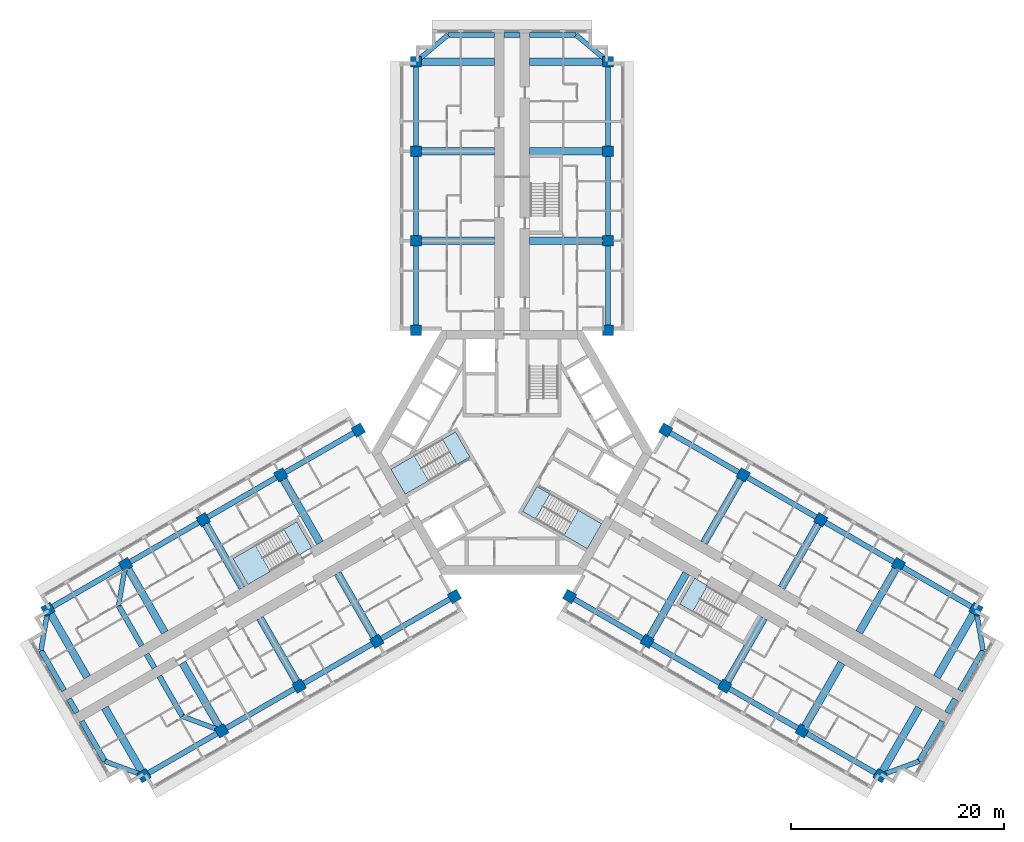
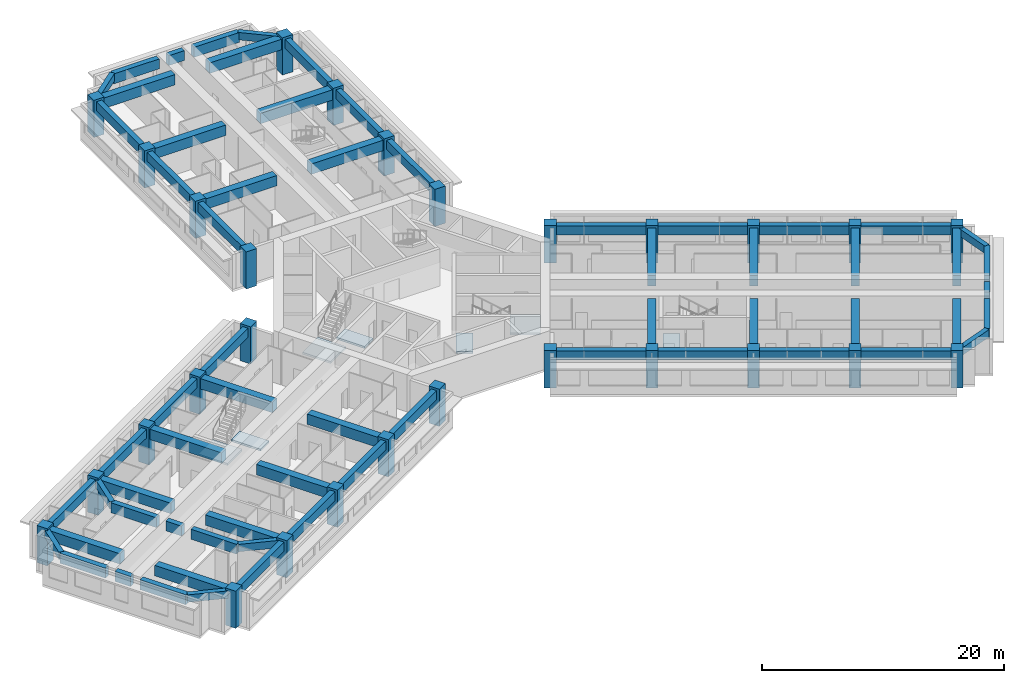
# One storey, part 1 of 14: 64 beams, 28 columns, 7 slabs, 4 elements without a shape of their own.
"""IFC4 building model written with IfcOpenShell, lengths in metres."""

from ifc_helpers import new_model, si_unit, direction, frame, origin, origin_2d, place, context, subcontext, project, spatial, polyline, rectangle, outline, extrude, material, layer, layer_set, material_profile, profile_set, type_object, element, aggregate, save


model = new_model("IFC4")

# Units and contexts
model_context = context("Model", 3, precision=1e-05, world=origin(), true_north=direction((0.0, 1.0)))
body_context = subcontext(model_context, "Body", "Model", "MODEL_VIEW")
ifc_project = project(units=[si_unit("LENGTHUNIT", "METRE"), si_unit("AREAUNIT", "SQUARE_METRE"), si_unit("VOLUMEUNIT", "CUBIC_METRE"), si_unit("PLANEANGLEUNIT", "RADIAN"), si_unit("MASSUNIT", "GRAM", prefix="KILO")], contexts=[model_context])

# Site, building, storey
site_placement = place(None, origin())
site = spatial("IfcSite", under=ifc_project, at=site_placement, CompositionType="ELEMENT")
building_placement = place(site_placement, origin())
building = spatial("IfcBuilding", under=site, at=building_placement, Name="Impinga Residences", CompositionType="ELEMENT")
storey_placement = place(building_placement, frame((0.0, 0.0, 128.5)))
storey = spatial("IfcBuildingStorey", under=building, at=storey_placement, Name="L31", CompositionType="ELEMENT", Elevation=128.5)

# Columns
ifc_material_1 = material(Name="Concrete C60/75", Category="concrete")
ifc_material_profile_1 = material_profile(ifc_material_1, rectangle(XDim=1.0, YDim=1.0, at=origin_2d()), Name="RC 1000x1000")
ifc_profile_set_1 = profile_set([ifc_material_profile_1], Name="Concrete C60/75")
column_type = type_object("IfcColumnType", Name="C3 1000x1000 column", PredefinedType="COLUMN", material=ifc_profile_set_1)
for number, where, z_axis, x_axis, name in (
    (1, (-9.0, 11.431640625, 0.0), (0.0, 0.0, 1.0), (1.0, 0.0, 0.0), "Column C3 N1/NA L31"),
    (2, (9.0, 11.431640625, 0.0), (0.0, 0.0, 1.0), (1.0, 0.0, 0.0), "Column C3 N1/NF L31"),
    (3, (-9.0, 19.83154296875, 0.0), (0.0, 0.0, 1.0), (1.0, 0.0, 0.0), "Column C3 N2/NA L31"),
    (4, (9.0, 19.83154296875, 0.0), (0.0, 0.0, 1.0), (1.0, 0.0, 0.0), "Column C3 N2/NF L31"),
    (5, (-9.0, 28.2314453125, 0.0), (0.0, 0.0, 1.0), (1.0, 0.0, 0.0), "Column C3 N3/NA L31"),
    (6, (9.0, 28.2314453125, 0.0), (0.0, 0.0, 1.0), (1.0, 0.0, 0.0), "Column C3 N3/NF L31"),
    (7, (-9.0, 36.631591796875, 0.0), (0.0, 0.0, 1.0), (1.0, 0.0, 0.0), "Column C3 N4/NA L31"),
    (8, (9.0, 36.631591796875, 0.0), (0.0, 0.0, 1.0), (1.0, 0.0, 0.0), "Column C3 N4/NF L31"),
    (9, (-5.39990234375, -13.510009765625, 0.0), (0.0, 0.0, 1.0), (-0.5, 0.866025403784, 0.0), "Column C3 W1/WA L31"),
    (10, (-14.39990234375, 2.078369140625, 0.0), (0.0, 0.0, 1.0), (-0.5, 0.866025403784, 0.0), "Column C3 W1/WF L31"),
    (11, (-12.674560546875, -17.7099609375, 0.0), (0.0, 0.0, 1.0), (-0.5, 0.866025403784, 0.0), "Column C3 W2/WA L31"),
    (12, (-21.674560546875, -2.12158203125, 0.0), (0.0, 0.0, 1.0), (-0.5, 0.866025403784, 0.0), "Column C3 W2/WF L31"),
    (13, (-19.94921875, -21.909912109375, 0.0), (0.0, 0.0, 1.0), (-0.5, 0.866025403784, 0.0), "Column C3 W3/WA L31"),
    (14, (-28.94921875, -6.321533203125, 0.0), (0.0, 0.0, 1.0), (-0.5, 0.866025403784, 0.0), "Column C3 W3/WF L31"),
    (15, (-27.223876953125, -26.110107421875, 0.0), (0.0, 0.0, 1.0), (-0.5, 0.866025403784, 0.0), "Column C3 W4/WA L31"),
    (16, (-36.223876953125, -10.521484375, 0.0), (0.0, 0.0, 1.0), (-0.5, 0.866025403784, 0.0), "Column C3 W4/WF L31"),
    (17, (-34.49853515625, -30.31005859375, 0.0), (0.0, 0.0, 1.0), (-0.5, 0.866025403784, 0.0), "Column C3 W5/WA L31"),
    (18, (-43.49853515625, -14.721435546875, 0.0), (0.0, 0.0, 1.0), (-0.5, 0.866025403784, 0.0), "Column C3 W5/WF L31"),
    (19, (14.39990234375, 2.078369140625, 0.0), (0.0, 0.0, 1.0), (-0.5, -0.866025403784, 0.0), "Column C3 E1/EA L31"),
    (20, (5.39990234375, -13.510009765625, 0.0), (0.0, 0.0, 1.0), (-0.5, -0.866025403784, 0.0), "Column C3 E1/EF L31"),
    (21, (21.674560546875, -2.12158203125, 0.0), (0.0, 0.0, 1.0), (-0.5, -0.866025403784, 0.0), "Column C3 E2/EA L31"),
    (22, (12.674560546875, -17.7099609375, 0.0), (0.0, 0.0, 1.0), (-0.5, -0.866025403784, 0.0), "Column C3 E2/EF L31"),
    (23, (28.94921875, -6.321533203125, 0.0), (0.0, 0.0, 1.0), (-0.5, -0.866025403784, 0.0), "Column C3 E3/EA L31"),
    (24, (19.94921875, -21.909912109375, 0.0), (0.0, 0.0, 1.0), (-0.5, -0.866025403784, 0.0), "Column C3 E3/EF L31"),
    (25, (36.223876953125, -10.521484375, 0.0), (0.0, 0.0, 1.0), (-0.5, -0.866025403784, 0.0), "Column C3 E4/EA L31"),
    (26, (27.223876953125, -26.110107421875, 0.0), (0.0, 0.0, 1.0), (-0.5, -0.866025403784, 0.0), "Column C3 E4/EF L31"),
    (27, (43.49853515625, -14.721435546875, 0.0), (0.0, 0.0, 1.0), (-0.5, -0.866025403784, 0.0), "Column C3 E5/EA L31"),
    (28, (34.49853515625, -30.31005859375, 0.0), (0.0, 0.0, 1.0), (-0.5, -0.866025403784, 0.0), "Column C3 E5/EF L31"),
):
    element("IfcColumn", number, at=place(storey_placement, frame(where, z_axis=z_axis, x_axis=x_axis)), inside=storey, type_object=column_type, Name=name, PredefinedType="COLUMN", context=body_context, shape_type="SweptSolid", body=[
        extrude(rectangle(XDim=1.0, YDim=1.0, at=origin_2d()), origin(), (0.0, 0.0, 1.0), 3.75),
    ])

# Beams
ifc_material_profile_2 = material_profile(ifc_material_1, rectangle(XDim=0.449951171875, YDim=0.75, at=origin_2d()), Name="RC 450x750")
ifc_profile_set_2 = profile_set([ifc_material_profile_2], Name="Concrete C60/75")
beam_type_1 = type_object("IfcBeamType", Name="CB1 450x750 wing end cantilever beam", PredefinedType="BEAM", material=ifc_profile_set_2)
for number, where, z_axis, x_axis, name in (
    (29, (-9.0, 36.631591796875, 3.155029296875), (0.768221279597, 0.640184399664, 0.0), (-0.640184399664, 0.768221279597, 0.0), "Beam CB1 NB N4-NX level L32"),
    (30, (9.0, 36.631591796875, 3.155029296875), (-0.768221279597, 0.640184399664, 0.0), (-0.640184399664, -0.768221279597, 0.0), "Beam CB1 NE N4-NX level L32"),
    (31, (-27.223876953125, -26.110107421875, 3.155029296875), (-0.938520178725, 0.345224382289, 0.0), (-0.345224382289, -0.938520178725, 0.0), "Beam CB1 WB W4-WX level L32"),
):
    element("IfcBeam", number, at=place(storey_placement, frame(where, z_axis=z_axis, x_axis=x_axis)), inside=storey, type_object=beam_type_1, Name=name, PredefinedType="BEAM", context=body_context, shape_type="SweptSolid", body=[
        extrude(rectangle(XDim=0.449951171875, YDim=0.75, at=origin_2d()), origin(), (0.0, 0.0, 1.0), 3.905029296875),
    ])
beam_1_placement = place(storey_placement, frame((-36.223876953125, -10.521484375, 3.155029296875), z_axis=(-0.170296298948, -0.985392901621, 0.0), x_axis=(0.985392901621, -0.170296298948, 0.0)))
element("IfcBeam", 32, at=beam_1_placement, inside=storey, type_object=beam_type_1, Name="Beam CB1 WE W4-WX level L32", PredefinedType="BEAM", context=body_context, shape_type="SweptSolid", body=[
    extrude(rectangle(XDim=0.449951171875, YDim=0.75, at=origin_2d()), origin(), (0.0, 0.0, 1.0), 3.9052734375),
])
beam_2_placement = place(storey_placement, frame((-34.49853515625, -30.31005859375, 3.155029296875), z_axis=(-0.938520178725, 0.345224382289, 0.0), x_axis=(-0.345224382289, -0.938520178725, 0.0)))
element("IfcBeam", 33, at=beam_2_placement, inside=storey, type_object=beam_type_1, Name="Beam CB1 WB W5-WX level L32", PredefinedType="BEAM", context=body_context, shape_type="SweptSolid", body=[
    extrude(rectangle(XDim=0.449951171875, YDim=0.75, at=origin_2d()), origin(), (0.0, 0.0, 1.0), 3.905029296875),
])
for number, where, z_axis, x_axis, name in (
    (34, (-43.49853515625, -14.721435546875, 3.155029296875), (-0.170296298948, -0.985392901621, 0.0), (0.985392901621, -0.170296298948, 0.0), "Beam CB1 WE W5-WX level L32"),
    (35, (43.49853515625, -14.721435546875, 3.155029296875), (0.170296298948, -0.985392901621, 0.0), (0.985392901621, 0.170296298948, 0.0), "Beam CB1 EB E5-EX level L32"),
):
    element("IfcBeam", number, at=place(storey_placement, frame(where, z_axis=z_axis, x_axis=x_axis)), inside=storey, type_object=beam_type_1, Name=name, PredefinedType="BEAM", context=body_context, shape_type="SweptSolid", body=[
        extrude(rectangle(XDim=0.449951171875, YDim=0.75, at=origin_2d()), origin(), (0.0, 0.0, 1.0), 3.9052734375),
    ])
beam_3_placement = place(storey_placement, frame((34.49853515625, -30.31005859375, 3.155029296875), z_axis=(0.938520178725, 0.345224382289, 0.0), x_axis=(-0.345224382289, 0.938520178725, 0.0)))
element("IfcBeam", 36, at=beam_3_placement, inside=storey, type_object=beam_type_1, Name="Beam CB1 EE E5-EX level L32", PredefinedType="BEAM", context=body_context, shape_type="SweptSolid", body=[
    extrude(rectangle(XDim=0.449951171875, YDim=0.75, at=origin_2d()), origin(), (0.0, 0.0, 1.0), 3.905029296875),
])
ifc_material_profile_3 = material_profile(ifc_material_1, rectangle(XDim=0.699951171875, YDim=1.050048828125, at=origin_2d()), Name="RC 700x1050")
ifc_profile_set_3 = profile_set([ifc_material_profile_3], Name="Concrete C60/75")
beam_type_2 = type_object("IfcBeamType", Name="CG1 700x1050 cross girder on a wing bay line", PredefinedType="BEAM", material=ifc_profile_set_3)
for number, where, z_axis, x_axis, name in (
    (37, (-1.64990234375, 19.83154296875, 3.0048828125), (-1.0, 0.0, 0.0), (0.0, -1.0, 0.0), "Beam CG1 N2 NC/NA level L32"),
    (38, (-1.64990234375, 28.2314453125, 3.0048828125), (-1.0, 0.0, 0.0), (0.0, -1.0, 0.0), "Beam CG1 N3 NC/NA level L32"),
    (39, (-1.64990234375, 36.631591796875, 3.0048828125), (-1.0, 0.0, 0.0), (0.0, -1.0, 0.0), "Beam CG1 N4 NC/NA level L32"),
    (40, (1.64990234375, 19.83154296875, 3.0048828125), (1.0, 0.0, 0.0), (0.0, 1.0, 0.0), "Beam CG1 N2 NC/NF level L32"),
    (41, (1.64990234375, 28.2314453125, 3.0048828125), (1.0, 0.0, 0.0), (0.0, 1.0, 0.0), "Beam CG1 N3 NC/NF level L32"),
    (42, (1.64990234375, 36.631591796875, 3.0048828125), (1.0, 0.0, 0.0), (0.0, 1.0, 0.0), "Beam CG1 N4 NC/NF level L32"),
    (43, (-16.349609375, -11.3447265625, 3.0048828125), (0.500008066151, -0.86602074674, 0.0), (0.86602074674, 0.500008066151, 0.0), "Beam CG1 W2 WC/WA level L32"),
    (44, (-23.624267578125, -15.544677734375, 3.0048828125), (0.500008066151, -0.86602074674, 0.0), (0.86602074674, 0.500008066151, 0.0), "Beam CG1 W3 WC/WA level L32"),
    (45, (-30.89892578125, -19.74462890625, 3.0048828125), (0.499993683172, -0.866029050776, 0.0), (0.866029050776, 0.499993683172, 0.0), "Beam CG1 W4 WC/WA level L32"),
):
    element("IfcBeam", number, at=place(storey_placement, frame(where, z_axis=z_axis, x_axis=x_axis)), inside=storey, type_object=beam_type_2, Name=name, PredefinedType="BEAM", context=body_context, shape_type="SweptSolid", body=[
        extrude(rectangle(XDim=0.699951171875, YDim=1.050048828125, at=origin_2d()), origin(), (0.0, 0.0, 1.0), 7.35009765625),
    ])
beam_4_placement = place(storey_placement, frame((-38.17333984375, -23.94482421875, 3.0048828125), z_axis=(0.499983153418, -0.866035129944, 0.0), x_axis=(0.866035129944, 0.499983153418, 0.0)))
element("IfcBeam", 46, at=beam_4_placement, inside=storey, type_object=beam_type_2, Name="Beam CG1 W5 WC/WA level L32", PredefinedType="BEAM", context=body_context, shape_type="SweptSolid", body=[
    extrude(rectangle(XDim=0.699951171875, YDim=1.050048828125, at=origin_2d()), origin(), (0.0, 0.0, 1.0), 7.349853515625),
])
for number, where, z_axis, x_axis, name in (
    (47, (-17.99951171875, -8.48681640625, 3.0048828125), (-0.500008066151, 0.86602074674, 0.0), (-0.86602074674, -0.500008066151, 0.0), "Beam CG1 W2 WC/WF level L32"),
    (48, (-25.274169921875, -12.686767578125, 3.0048828125), (-0.500008066151, 0.86602074674, 0.0), (-0.86602074674, -0.500008066151, 0.0), "Beam CG1 W3 WC/WF level L32"),
    (49, (-32.548828125, -16.88671875, 3.0048828125), (-0.500008066151, 0.86602074674, 0.0), (-0.86602074674, -0.500008066151, 0.0), "Beam CG1 W4 WC/WF level L32"),
    (50, (-39.823486328125, -21.0869140625, 3.0048828125), (-0.499993683172, 0.866029050776, 0.0), (-0.866029050776, -0.499993683172, 0.0), "Beam CG1 W5 WC/WF level L32"),
    (51, (17.99951171875, -8.48681640625, 3.0048828125), (0.500008066151, 0.86602074674, 0.0), (-0.86602074674, 0.500008066151, 0.0), "Beam CG1 E2 EC/EA level L32"),
    (52, (25.274169921875, -12.686767578125, 3.0048828125), (0.500008066151, 0.86602074674, 0.0), (-0.86602074674, 0.500008066151, 0.0), "Beam CG1 E3 EC/EA level L32"),
    (53, (32.548828125, -16.88671875, 3.0048828125), (0.500008066151, 0.86602074674, 0.0), (-0.86602074674, 0.500008066151, 0.0), "Beam CG1 E4 EC/EA level L32"),
    (54, (39.823486328125, -21.0869140625, 3.0048828125), (0.499993683172, 0.866029050776, 0.0), (-0.866029050776, 0.499993683172, 0.0), "Beam CG1 E5 EC/EA level L32"),
    (55, (16.349609375, -11.3447265625, 3.0048828125), (-0.500008066151, -0.86602074674, 0.0), (0.86602074674, -0.500008066151, 0.0), "Beam CG1 E2 EC/EF level L32"),
    (56, (23.624267578125, -15.544677734375, 3.0048828125), (-0.500008066151, -0.86602074674, 0.0), (0.86602074674, -0.500008066151, 0.0), "Beam CG1 E3 EC/EF level L32"),
    (57, (30.89892578125, -19.74462890625, 3.0048828125), (-0.499993683172, -0.866029050776, 0.0), (0.866029050776, -0.499993683172, 0.0), "Beam CG1 E4 EC/EF level L32"),
):
    element("IfcBeam", number, at=place(storey_placement, frame(where, z_axis=z_axis, x_axis=x_axis)), inside=storey, type_object=beam_type_2, Name=name, PredefinedType="BEAM", context=body_context, shape_type="SweptSolid", body=[
        extrude(rectangle(XDim=0.699951171875, YDim=1.050048828125, at=origin_2d()), origin(), (0.0, 0.0, 1.0), 7.35009765625),
    ])
beam_5_placement = place(storey_placement, frame((38.17333984375, -23.94482421875, 3.0048828125), z_axis=(-0.499983153418, -0.866035129944, 0.0), x_axis=(0.866035129944, -0.499983153418, 0.0)))
element("IfcBeam", 58, at=beam_5_placement, inside=storey, type_object=beam_type_2, Name="Beam CG1 E5 EC/EF level L32", PredefinedType="BEAM", context=body_context, shape_type="SweptSolid", body=[
    extrude(rectangle(XDim=0.699951171875, YDim=1.050048828125, at=origin_2d()), origin(), (0.0, 0.0, 1.0), 7.349853515625),
])
ifc_material_profile_4 = material_profile(ifc_material_1, rectangle(XDim=0.5, YDim=1.0, at=origin_2d()), Name="RC 500x1000")
ifc_profile_set_4 = profile_set([ifc_material_profile_4], Name="Concrete C60/75")
beam_type_3 = type_object("IfcBeamType", Name="EB1 500x1000 wing end beam", PredefinedType="BEAM", material=ifc_profile_set_4)
beam_6_placement = place(storey_placement, frame((-6.0, 39.131591796875, 3.030029296875), z_axis=(1.0, 0.0, 0.0), x_axis=(0.0, 1.0, 0.0)))
element("IfcBeam", 59, at=beam_6_placement, inside=storey, type_object=beam_type_3, Name="Beam EB1 NX3 level L32", PredefinedType="BEAM", context=body_context, shape_type="SweptSolid", body=[
    extrude(rectangle(XDim=0.5, YDim=1.0, at=origin_2d()), origin(), (0.0, 0.0, 1.0), 4.35009765625),
])
beam_7_placement = place(storey_placement, frame((-0.75, 39.131591796875, 3.030029296875), z_axis=(1.0, 0.0, 0.0), x_axis=(0.0, 1.0, 0.0)))
element("IfcBeam", 60, at=beam_7_placement, inside=storey, type_object=beam_type_3, Name="Beam EB1 NX3 level L32", PredefinedType="BEAM", context=body_context, shape_type="SweptSolid", body=[
    extrude(rectangle(XDim=0.5, YDim=1.0, at=origin_2d()), origin(), (0.0, 0.0, 1.0), 1.5),
])
for number, where, z_axis, x_axis, name in (
    (61, (1.64990234375, 39.131591796875, 3.030029296875), (1.0, 0.0, 0.0), (0.0, 1.0, 0.0), "Beam EB1 NX3 level L32"),
    (62, (-30.888916015625, -24.761962890625, 3.030029296875), (-0.499996127374, 0.866027639635, 0.0), (-0.866027639635, -0.499996127374, 0.0), "Beam EB1 WX3 level L32"),
):
    element("IfcBeam", number, at=place(storey_placement, frame(where, z_axis=z_axis, x_axis=x_axis)), inside=storey, type_object=beam_type_3, Name=name, PredefinedType="BEAM", context=body_context, shape_type="SweptSolid", body=[
        extrude(rectangle(XDim=0.5, YDim=1.0, at=origin_2d()), origin(), (0.0, 0.0, 1.0), 4.35009765625),
    ])
beam_8_placement = place(storey_placement, frame((-33.513916015625, -20.21533203125, 3.030029296875), z_axis=(-0.499990139034, 0.866031096941, 0.0), x_axis=(-0.866031096941, -0.499990139034, 0.0)))
element("IfcBeam", 63, at=beam_8_placement, inside=storey, type_object=beam_type_3, Name="Beam EB1 WX3 level L32", PredefinedType="BEAM", context=body_context, shape_type="SweptSolid", body=[
    extrude(rectangle(XDim=0.5, YDim=1.0, at=origin_2d()), origin(), (0.0, 0.0, 1.0), 1.5),
])
for number, where, z_axis, x_axis, name in (
    (64, (-34.7138671875, -18.13671875, 3.030029296875), (-0.500020430026, 0.866013608182, 0.0), (-0.866013608182, -0.500020430026, 0.0), "Beam EB1 WX3 level L32"),
    (65, (-38.16357421875, -28.9619140625, 3.030029296875), (-0.500020430026, 0.866013608182, 0.0), (-0.866013608182, -0.500020430026, 0.0), "Beam EB1 WX4 level L32"),
):
    element("IfcBeam", number, at=place(storey_placement, frame(where, z_axis=z_axis, x_axis=x_axis)), inside=storey, type_object=beam_type_3, Name=name, PredefinedType="BEAM", context=body_context, shape_type="SweptSolid", body=[
        extrude(rectangle(XDim=0.5, YDim=1.0, at=origin_2d()), origin(), (0.0, 0.0, 1.0), 4.349853515625),
    ])
beam_9_placement = place(storey_placement, frame((-40.78857421875, -24.415283203125, 3.030029296875), z_axis=(-0.499990139034, 0.866031096941, 0.0), x_axis=(-0.866031096941, -0.499990139034, 0.0)))
element("IfcBeam", 66, at=beam_9_placement, inside=storey, type_object=beam_type_3, Name="Beam EB1 WX4 level L32", PredefinedType="BEAM", context=body_context, shape_type="SweptSolid", body=[
    extrude(rectangle(XDim=0.5, YDim=1.0, at=origin_2d()), origin(), (0.0, 0.0, 1.0), 1.5),
])
for number, where, z_axis, x_axis, name in (
    (67, (-41.988525390625, -22.3369140625, 3.030029296875), (-0.499996127374, 0.866027639635, 0.0), (-0.866027639635, -0.499996127374, 0.0), "Beam EB1 WX4 level L32"),
    (68, (44.16357421875, -18.569580078125, 3.030029296875), (-0.499996127374, -0.866027639635, 0.0), (0.866027639635, -0.499996127374, 0.0), "Beam EB1 EX4 level L32"),
):
    element("IfcBeam", number, at=place(storey_placement, frame(where, z_axis=z_axis, x_axis=x_axis)), inside=storey, type_object=beam_type_3, Name=name, PredefinedType="BEAM", context=body_context, shape_type="SweptSolid", body=[
        extrude(rectangle(XDim=0.5, YDim=1.0, at=origin_2d()), origin(), (0.0, 0.0, 1.0), 4.35009765625),
    ])
beam_10_placement = place(storey_placement, frame((41.53857421875, -23.1162109375, 3.030029296875), z_axis=(-0.499990139034, -0.866031096941, 0.0), x_axis=(0.866031096941, -0.499990139034, 0.0)))
element("IfcBeam", 69, at=beam_10_placement, inside=storey, type_object=beam_type_3, Name="Beam EB1 EX4 level L32", PredefinedType="BEAM", context=body_context, shape_type="SweptSolid", body=[
    extrude(rectangle(XDim=0.5, YDim=1.0, at=origin_2d()), origin(), (0.0, 0.0, 1.0), 1.5),
])
beam_11_placement = place(storey_placement, frame((40.338623046875, -25.19482421875, 3.030029296875), z_axis=(-0.500020430026, -0.866013608182, 0.0), x_axis=(0.866013608182, -0.500020430026, 0.0)))
element("IfcBeam", 70, at=beam_11_placement, inside=storey, type_object=beam_type_3, Name="Beam EB1 EX4 level L32", PredefinedType="BEAM", context=body_context, shape_type="SweptSolid", body=[
    extrude(rectangle(XDim=0.5, YDim=1.0, at=origin_2d()), origin(), (0.0, 0.0, 1.0), 4.349853515625),
])
ifc_material_profile_5 = material_profile(ifc_material_1, rectangle(XDim=0.5, YDim=0.89990234375, at=origin_2d()), Name="RC 500x900")
ifc_profile_set_5 = profile_set([ifc_material_profile_5], Name="Concrete C60/75")
beam_type_4 = type_object("IfcBeamType", Name="SB1 500x900 perimeter spandrel beam", PredefinedType="SPANDREL", material=ifc_profile_set_5)
for number, where, z_axis, x_axis, name in (
    (71, (-9.0, 11.431640625, 3.080078125), (0.0, 1.0, 0.0), (-1.0, 0.0, 0.0), "Beam SB1 NA N1-N2 level L32"),
    (72, (-9.0, 19.83154296875, 3.080078125), (0.0, 1.0, 0.0), (-1.0, 0.0, 0.0), "Beam SB1 NA N2-N3 level L32"),
):
    element("IfcBeam", number, at=place(storey_placement, frame(where, z_axis=z_axis, x_axis=x_axis)), inside=storey, type_object=beam_type_4, Name=name, PredefinedType="SPANDREL", context=body_context, shape_type="SweptSolid", body=[
        extrude(rectangle(XDim=0.5, YDim=0.89990234375, at=origin_2d()), origin(), (0.0, 0.0, 1.0), 8.39990234375),
    ])
beam_12_placement = place(storey_placement, frame((-9.0, 28.2314453125, 3.080078125), z_axis=(0.0, 1.0, 0.0), x_axis=(-1.0, 0.0, 0.0)))
element("IfcBeam", 73, at=beam_12_placement, inside=storey, type_object=beam_type_4, Name="Beam SB1 NA N3-N4 level L32", PredefinedType="SPANDREL", context=body_context, shape_type="SweptSolid", body=[
    extrude(rectangle(XDim=0.5, YDim=0.89990234375, at=origin_2d()), origin(), (0.0, 0.0, 1.0), 8.400146484375),
])
for number, where, z_axis, x_axis, name in (
    (74, (9.0, 11.431640625, 3.080078125), (0.0, 1.0, 0.0), (-1.0, 0.0, 0.0), "Beam SB1 NF N1-N2 level L32"),
    (75, (9.0, 19.83154296875, 3.080078125), (0.0, 1.0, 0.0), (-1.0, 0.0, 0.0), "Beam SB1 NF N2-N3 level L32"),
):
    element("IfcBeam", number, at=place(storey_placement, frame(where, z_axis=z_axis, x_axis=x_axis)), inside=storey, type_object=beam_type_4, Name=name, PredefinedType="SPANDREL", context=body_context, shape_type="SweptSolid", body=[
        extrude(rectangle(XDim=0.5, YDim=0.89990234375, at=origin_2d()), origin(), (0.0, 0.0, 1.0), 8.39990234375),
    ])
beam_13_placement = place(storey_placement, frame((9.0, 28.2314453125, 3.080078125), z_axis=(0.0, 1.0, 0.0), x_axis=(-1.0, 0.0, 0.0)))
element("IfcBeam", 76, at=beam_13_placement, inside=storey, type_object=beam_type_4, Name="Beam SB1 NF N3-N4 level L32", PredefinedType="SPANDREL", context=body_context, shape_type="SweptSolid", body=[
    extrude(rectangle(XDim=0.5, YDim=0.89990234375, at=origin_2d()), origin(), (0.0, 0.0, 1.0), 8.400146484375),
])
for number, where, z_axis, x_axis, name in (
    (77, (-5.39990234375, -13.510009765625, 3.080078125), (-0.86602925447, -0.499993330357, 0.0), (0.499993330357, -0.86602925447, 0.0), "Beam SB1 WA W1-W2 level L32"),
    (78, (-12.674560546875, -17.7099609375, 3.080078125), (-0.86602925447, -0.499993330357, 0.0), (0.499993330357, -0.86602925447, 0.0), "Beam SB1 WA W2-W3 level L32"),
):
    element("IfcBeam", number, at=place(storey_placement, frame(where, z_axis=z_axis, x_axis=x_axis)), inside=storey, type_object=beam_type_4, Name=name, PredefinedType="SPANDREL", context=body_context, shape_type="SweptSolid", body=[
        extrude(rectangle(XDim=0.5, YDim=0.89990234375, at=origin_2d()), origin(), (0.0, 0.0, 1.0), 8.39990234375),
    ])
beam_14_placement = place(storey_placement, frame((-19.94921875, -21.909912109375, 3.080078125), z_axis=(-0.866016669275, -0.500015128309, 0.0), x_axis=(0.500015128309, -0.866016669275, 0.0)))
element("IfcBeam", 79, at=beam_14_placement, inside=storey, type_object=beam_type_4, Name="Beam SB1 WA W3-W4 level L32", PredefinedType="SPANDREL", context=body_context, shape_type="SweptSolid", body=[
    extrude(rectangle(XDim=0.5, YDim=0.89990234375, at=origin_2d()), origin(), (0.0, 0.0, 1.0), 8.400146484375),
])
for number, where, z_axis, x_axis, name in (
    (80, (-27.223876953125, -26.110107421875, 3.080078125), (-0.86602925447, -0.499993330357, 0.0), (0.499993330357, -0.86602925447, 0.0), "Beam SB1 WA W4-W5 level L32"),
    (81, (-14.39990234375, 2.078369140625, 3.080078125), (-0.86602925447, -0.499993330357, 0.0), (0.499993330357, -0.86602925447, 0.0), "Beam SB1 WF W1-W2 level L32"),
    (82, (-21.674560546875, -2.12158203125, 3.080078125), (-0.86602925447, -0.499993330357, 0.0), (0.499993330357, -0.86602925447, 0.0), "Beam SB1 WF W2-W3 level L32"),
    (83, (-28.94921875, -6.321533203125, 3.080078125), (-0.86602925447, -0.499993330357, 0.0), (0.499993330357, -0.86602925447, 0.0), "Beam SB1 WF W3-W4 level L32"),
    (84, (-36.223876953125, -10.521484375, 3.080078125), (-0.86602925447, -0.499993330357, 0.0), (0.499993330357, -0.86602925447, 0.0), "Beam SB1 WF W4-W5 level L32"),
    (85, (14.39990234375, 2.078369140625, 3.080078125), (0.86602925447, -0.499993330357, 0.0), (0.499993330357, 0.86602925447, 0.0), "Beam SB1 EA E1-E2 level L32"),
    (86, (21.674560546875, -2.12158203125, 3.080078125), (0.86602925447, -0.499993330357, 0.0), (0.499993330357, 0.86602925447, 0.0), "Beam SB1 EA E2-E3 level L32"),
    (87, (28.94921875, -6.321533203125, 3.080078125), (0.86602925447, -0.499993330357, 0.0), (0.499993330357, 0.86602925447, 0.0), "Beam SB1 EA E3-E4 level L32"),
    (88, (36.223876953125, -10.521484375, 3.080078125), (0.86602925447, -0.499993330357, 0.0), (0.499993330357, 0.86602925447, 0.0), "Beam SB1 EA E4-E5 level L32"),
    (89, (5.39990234375, -13.510009765625, 3.080078125), (0.86602925447, -0.499993330357, 0.0), (0.499993330357, 0.86602925447, 0.0), "Beam SB1 EF E1-E2 level L32"),
    (90, (12.674560546875, -17.7099609375, 3.080078125), (0.86602925447, -0.499993330357, 0.0), (0.499993330357, 0.86602925447, 0.0), "Beam SB1 EF E2-E3 level L32"),
):
    element("IfcBeam", number, at=place(storey_placement, frame(where, z_axis=z_axis, x_axis=x_axis)), inside=storey, type_object=beam_type_4, Name=name, PredefinedType="SPANDREL", context=body_context, shape_type="SweptSolid", body=[
        extrude(rectangle(XDim=0.5, YDim=0.89990234375, at=origin_2d()), origin(), (0.0, 0.0, 1.0), 8.39990234375),
    ])
beam_15_placement = place(storey_placement, frame((19.94921875, -21.909912109375, 3.080078125), z_axis=(0.866016669275, -0.500015128309, 0.0), x_axis=(0.500015128309, 0.866016669275, 0.0)))
element("IfcBeam", 91, at=beam_15_placement, inside=storey, type_object=beam_type_4, Name="Beam SB1 EF E3-E4 level L32", PredefinedType="SPANDREL", context=body_context, shape_type="SweptSolid", body=[
    extrude(rectangle(XDim=0.5, YDim=0.89990234375, at=origin_2d()), origin(), (0.0, 0.0, 1.0), 8.400146484375),
])
beam_16_placement = place(storey_placement, frame((27.223876953125, -26.110107421875, 3.080078125), z_axis=(0.86602925447, -0.499993330357, 0.0), x_axis=(0.499993330357, 0.86602925447, 0.0)))
element("IfcBeam", 92, at=beam_16_placement, inside=storey, type_object=beam_type_4, Name="Beam SB1 EF E4-E5 level L32", PredefinedType="SPANDREL", context=body_context, shape_type="SweptSolid", body=[
    extrude(rectangle(XDim=0.5, YDim=0.89990234375, at=origin_2d()), origin(), (0.0, 0.0, 1.0), 8.39990234375),
])

# Stair, slabs
ifc_material_2 = material(Name="Concrete C40/50", Category="concrete")
stair_type_1 = type_object("IfcStairType", Name="STR core stair 3750 storey, 24 risers", PredefinedType="HALF_TURN_STAIR", material=ifc_material_2)
stair_1_placement = place(storey_placement, origin())
stair_1 = element("IfcStair", 93, at=stair_1_placement, inside=storey, type_object=stair_type_1, Name="Stair ST2 L31", PredefinedType="HALF_TURN_STAIR")
ifc_layer = layer(ifc_material_2, 0.199951171875)
ifc_layer_set = layer_set([ifc_layer], Name="Concrete C40/50")
slab_type = type_object("IfcSlabType", Name="LS1 stair landing 200", PredefinedType="LANDING", material=ifc_layer_set)
slab_1_placement = place(storey_placement, frame((0.0, 0.0, -0.199951171875)))
slab_1 = element("IfcSlab", 94, at=slab_1_placement, type_object=slab_type, Name="ST2 landing 1", PredefinedType="LANDING", context=body_context, shape_type="SweptSolid", body=[
    extrude(outline(polyline([(-3.943603515625, -0.429443359375), (-5.293701171875, 1.908935546875), (-6.5146484375, 1.203857421875), (-5.164794921875, -1.13427734375), (-3.943603515625, -0.429443359375)])), origin(), (0.0, 0.0, 1.0), 0.199951171875),
])
slab_2_placement = place(storey_placement, frame((0.0, 0.0, 1.675048828125)))
slab_2 = element("IfcSlab", 95, at=slab_2_placement, type_object=slab_type, Name="ST2 landing 2", PredefinedType="LANDING", context=body_context, shape_type="SweptSolid", body=[
    extrude(outline(polyline([(-7.814697265625, -2.664306640625), (-9.164794921875, -0.326171875), (-11.357177734375, -1.591796875), (-10.007080078125, -3.93017578125), (-7.814697265625, -2.664306640625)])), origin(), (0.0, 0.0, 1.0), 0.199951171875),
])
aggregate(stair_1, [slab_1, slab_2])

stair_2_placement = place(storey_placement, origin())
stair_2 = element("IfcStair", 96, at=stair_2_placement, inside=storey, type_object=stair_type_1, Name="Stair ST3 L31", PredefinedType="HALF_TURN_STAIR")
slab_3_placement = place(storey_placement, frame((0.0, 0.0, -0.199951171875)))
slab_3 = element("IfcSlab", 97, at=slab_3_placement, type_object=slab_type, Name="ST3 landing 1", PredefinedType="LANDING", context=body_context, shape_type="SweptSolid", body=[
    extrude(outline(polyline([(2.34375, -3.20068359375), (0.99365234375, -5.538818359375), (2.21484375, -6.243896484375), (3.564697265625, -3.90576171875), (2.34375, -3.20068359375)])), origin(), (0.0, 0.0, 1.0), 0.199951171875),
])
slab_4_placement = place(storey_placement, frame((0.0, 0.0, 1.675048828125)))
slab_4 = element("IfcSlab", 98, at=slab_4_placement, type_object=slab_type, Name="ST3 landing 2", PredefinedType="LANDING", context=body_context, shape_type="SweptSolid", body=[
    extrude(outline(polyline([(6.21484375, -5.435546875), (4.86474609375, -7.77392578125), (7.05712890625, -9.039794921875), (8.4072265625, -6.701416015625), (6.21484375, -5.435546875)])), origin(), (0.0, 0.0, 1.0), 0.199951171875),
])
aggregate(stair_2, [slab_3, slab_4])

stair_type_2 = type_object("IfcStairType", Name="STR wing stair 3750 storey, 24 risers", PredefinedType="HALF_TURN_STAIR", material=ifc_material_2)
stair_3_placement = place(storey_placement, origin())
stair_3 = element("IfcStair", 99, at=stair_3_placement, inside=storey, type_object=stair_type_2, Name="Stair WS2 L31", PredefinedType="HALF_TURN_STAIR")
slab_5_placement = place(storey_placement, frame((0.0, 0.0, -0.199951171875)))
slab_5 = element("IfcSlab", 100, at=slab_5_placement, type_object=slab_type, Name="WS2 landing 1", PredefinedType="LANDING", context=body_context, shape_type="SweptSolid", body=[
    extrude(outline(polyline([(-18.779052734375, -8.936767578125), (-20.178955078125, -6.511962890625), (-21.400146484375, -7.217041015625), (-20.000244140625, -9.641845703125), (-18.779052734375, -8.936767578125)])), origin(), (0.0, 0.0, 1.0), 0.199951171875),
])
slab_6_placement = place(storey_placement, frame((0.0, 0.0, 1.675048828125)))
slab_6 = element("IfcSlab", 101, at=slab_6_placement, type_object=slab_type, Name="WS2 landing 2", PredefinedType="LANDING", context=body_context, shape_type="SweptSolid", body=[
    extrude(outline(polyline([(-22.650146484375, -11.171875), (-24.050048828125, -8.7470703125), (-26.154541015625, -9.9619140625), (-24.754638671875, -12.38671875), (-22.650146484375, -11.171875)])), origin(), (0.0, 0.0, 1.0), 0.199951171875),
])
aggregate(stair_3, [slab_5, slab_6])

# Stair, slab
stair_4_placement = place(storey_placement, origin())
stair_4 = element("IfcStair", 102, at=stair_4_placement, inside=storey, type_object=stair_type_2, Name="Stair WS3 L31", PredefinedType="HALF_TURN_STAIR")
slab_7_placement = place(storey_placement, frame((0.0, 0.0, -0.199951171875)))
slab_7 = element("IfcSlab", 103, at=slab_7_placement, type_object=slab_type, Name="WS3 landing 1", PredefinedType="LANDING", context=body_context, shape_type="SweptSolid", body=[
    extrude(outline(polyline([(17.129150390625, -11.794677734375), (15.72900390625, -14.219482421875), (16.9501953125, -14.924560546875), (18.35009765625, -12.499755859375), (17.129150390625, -11.794677734375)])), origin(), (0.0, 0.0, 1.0), 0.199951171875),
])
aggregate(stair_4, [slab_7])

save(model, "model.ifc")
